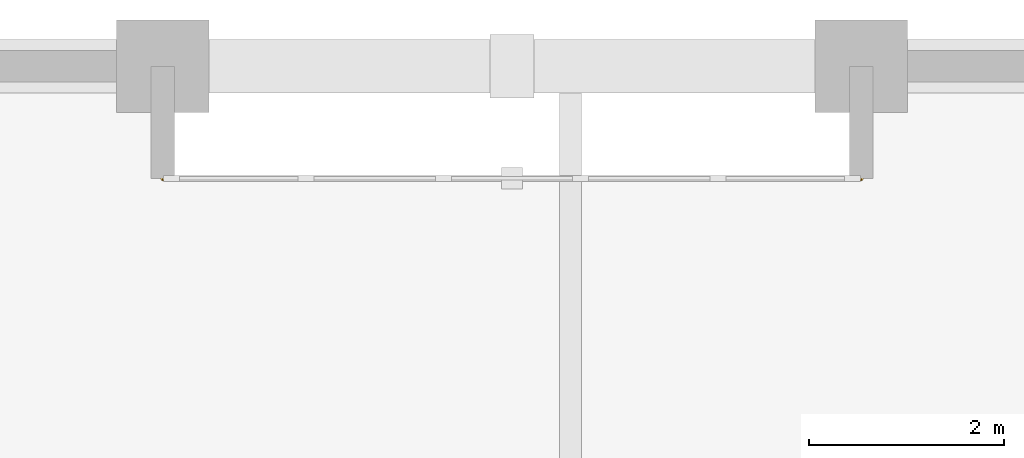
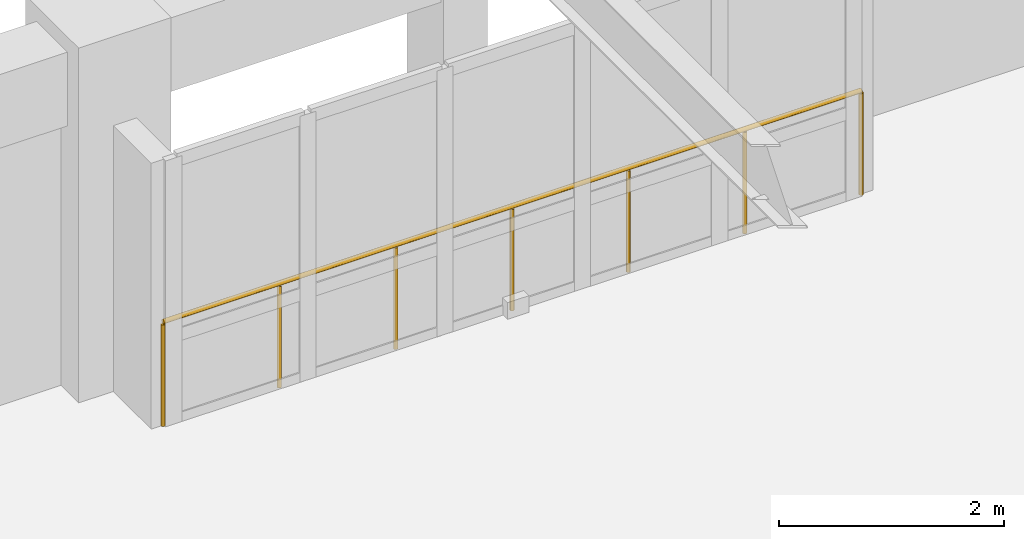
# One storey, part 8 of 8: 1 railing.
"""IFC4 building model written with IfcOpenShell, lengths in metres."""

from ifc_helpers import new_model, si_unit, direction, frame, origin, origin_2d, place, context, subcontext, project, spatial, circle, extrude, material, type_object, element, save


model = new_model("IFC4")

# Units and contexts
model_context = context("Model", 3, precision=1e-05, world=origin(), true_north=direction((0.0, 1.0)))
body_context = subcontext(model_context, "Body", "Model", "MODEL_VIEW")
ifc_project = project(units=[si_unit("LENGTHUNIT", "METRE"), si_unit("AREAUNIT", "SQUARE_METRE"), si_unit("VOLUMEUNIT", "CUBIC_METRE"), si_unit("PLANEANGLEUNIT", "RADIAN"), si_unit("MASSUNIT", "GRAM", prefix="KILO")], contexts=[model_context])

# Site, building, storey
site_placement = place(None, origin())
site = spatial("IfcSite", under=ifc_project, at=site_placement, CompositionType="ELEMENT")
building_placement = place(site_placement, origin())
building = spatial("IfcBuilding", under=site, at=building_placement, Name="Nhamokura Convention Tower", CompositionType="ELEMENT")
storey_placement = place(building_placement, frame((0.0, 0.0, 137.550048828125)))
storey = spatial("IfcBuildingStorey", under=building, at=storey_placement, Name="L33", CompositionType="ELEMENT", Elevation=137.550048828125)

# Railing
ifc_material = material(Name="Anodised bronze stainless steel", Category="steel")
railing_type = type_object("IfcRailingType", Name="TerraceGuardrail_1150", PredefinedType="GUARDRAIL", material=ifc_material)
railing_placement = place(storey_placement, frame((39.166748046875, 56.85009765625, 0.0)))
element("IfcRailing", 1, at=railing_placement, inside=storey, type_object=railing_type, Name="L33 Scale-Slot Edge Guardrail NORTH 4", PredefinedType="GUARDRAIL", context=body_context, shape_type="SweptSolid", body=[
    extrude(circle(Radius=0.02392578125, at=origin_2d()), frame((0.0, 0.0, 1.1259765625), z_axis=(1.0, 0.0, 0.0), x_axis=(0.0, 1.0, 0.0)), (0.0, 0.0, 1.0), 7.16650390625),
    extrude(circle(Radius=0.02099609375, at=origin_2d()), origin(), (0.0, 0.0, 1.0), 1.101806640625),
    extrude(circle(Radius=0.02099609375, at=origin_2d()), frame((1.1943359375, 0.0, 0.0)), (0.0, 0.0, 1.0), 1.101806640625),
    extrude(circle(Radius=0.02099609375, at=origin_2d()), frame((2.388916015625, 0.0, 0.0)), (0.0, 0.0, 1.0), 1.101806640625),
    extrude(circle(Radius=0.02099609375, at=origin_2d()), frame((3.583251953125, 0.0, 0.0)), (0.0, 0.0, 1.0), 1.101806640625),
    extrude(circle(Radius=0.02099609375, at=origin_2d()), frame((4.777587890625, 0.0, 0.0)), (0.0, 0.0, 1.0), 1.101806640625),
    extrude(circle(Radius=0.02099609375, at=origin_2d()), frame((5.97216796875, 0.0, 0.0)), (0.0, 0.0, 1.0), 1.101806640625),
    extrude(circle(Radius=0.02099609375, at=origin_2d()), frame((7.16650390625, 0.0, 0.0)), (0.0, 0.0, 1.0), 1.101806640625),
])

save(model, "model.ifc")
